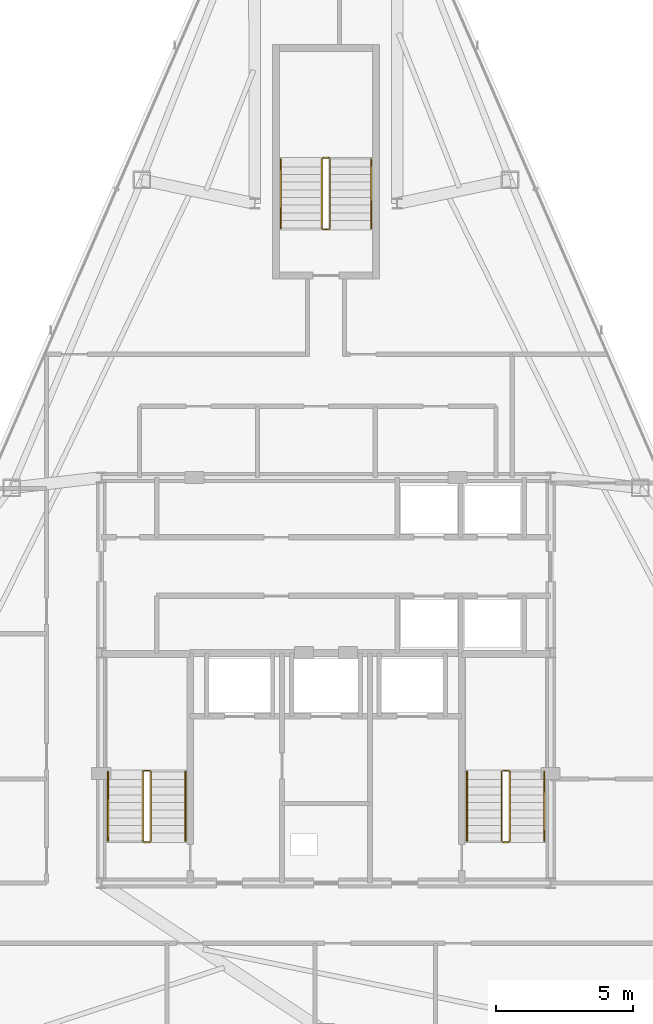
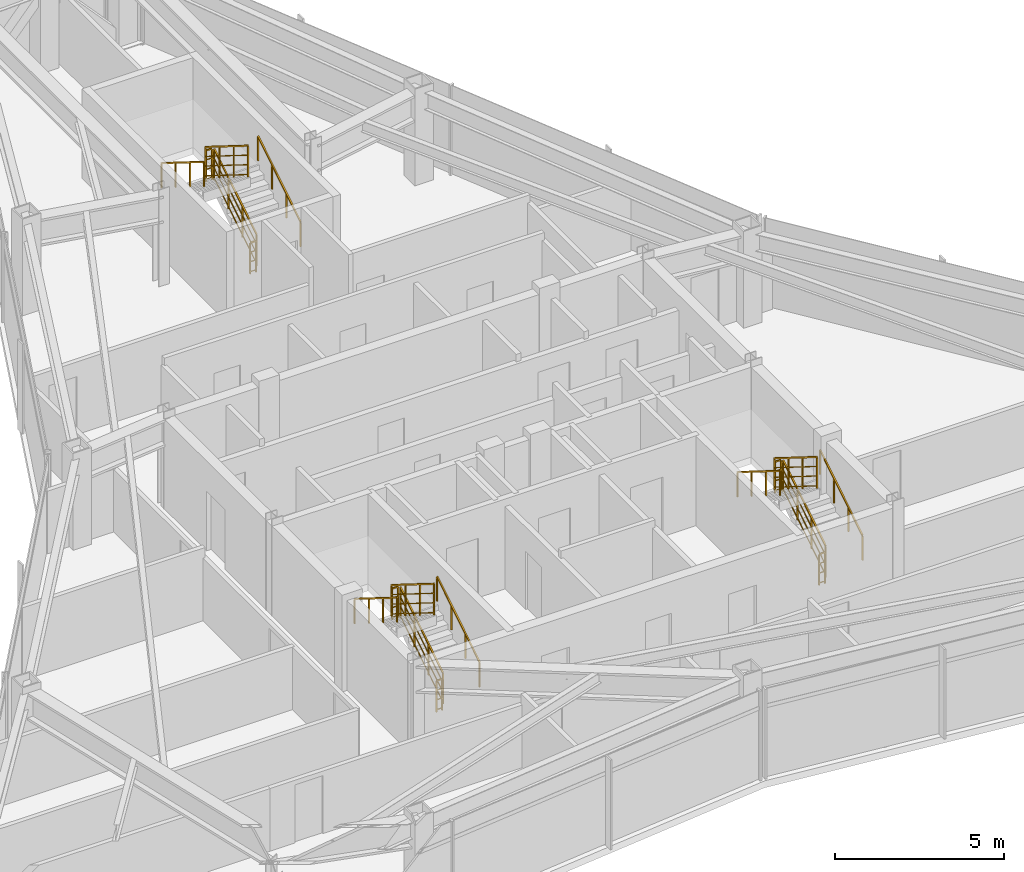
# One storey, part 12 of 12: 18 railings.
"""IFC4 building model written with IfcOpenShell, lengths in metres."""

from ifc_helpers import new_model, si_unit, direction, frame, origin, origin_2d, place, context, subcontext, project, spatial, rectangle, extrude, material, type_object, element, save


model = new_model("IFC4")

# Units and contexts
model_context = context("Model", 3, precision=1e-05, world=origin(), true_north=direction((0.0, 1.0)))
body_context = subcontext(model_context, "Body", "Model", "MODEL_VIEW")
ifc_project = project(units=[si_unit("LENGTHUNIT", "METRE"), si_unit("AREAUNIT", "SQUARE_METRE"), si_unit("VOLUMEUNIT", "CUBIC_METRE"), si_unit("PLANEANGLEUNIT", "RADIAN"), si_unit("MASSUNIT", "GRAM", prefix="KILO")], contexts=[model_context])

# Site, building, storey
site_placement = place(None, origin())
site = spatial("IfcSite", under=ifc_project, at=site_placement, CompositionType="ELEMENT")
building_placement = place(site_placement, origin())
building = spatial("IfcBuilding", under=site, at=building_placement, Name="Varakhsha Concourse Tower", CompositionType="ELEMENT")
storey_placement = place(building_placement, frame((0.0, 0.0, 283.0)))
storey = spatial("IfcBuildingStorey", under=building, at=storey_placement, Name="L80", CompositionType="ELEMENT", Elevation=283.0)

# Railings
ifc_material = material(Name="Brushed Austenitic Stainless Steel AISI 316", Category="steel")
railing_type_1 = type_object("IfcRailingType", Name="RL-STAIR-GUARD-1100", PredefinedType="GUARDRAIL", material=ifc_material)
railing_1_placement = place(storey_placement, frame((33.610107421875, 17.93994140625, 0.175048828125)))
element("IfcRailing", 1, at=railing_1_placement, inside=storey, type_object=railing_type_1, Name="L80 ST1 stair guard 1", PredefinedType="GUARDRAIL", context=body_context, shape_type="SweptSolid", body=[
    extrude(rectangle(XDim=0.048095703125, YDim=0.048095703125, at=origin_2d()), frame((0.0, 0.0, 1.1259765625), z_axis=(0.0, 0.848007534815, 0.529984170421), x_axis=(-1.0, 0.0, 0.0)), (0.0, 0.0, 1.0), 2.9716796875),
    extrude(rectangle(XDim=0.028076171875, YDim=0.028076171875, at=origin_2d()), frame((0.0, 0.0, 0.080078125), z_axis=(0.0, 0.848007534815, 0.529984170421), x_axis=(-1.0, 0.0, 0.0)), (0.0, 0.0, 1.0), 2.9716796875),
    extrude(rectangle(XDim=0.028076171875, YDim=0.028076171875, at=origin_2d()), frame((0.0, 0.0, 0.43701171875), z_axis=(0.0, 0.848007534815, 0.529984170421), x_axis=(-1.0, 0.0, 0.0)), (0.0, 0.0, 1.0), 2.9716796875),
    extrude(rectangle(XDim=0.028076171875, YDim=0.028076171875, at=origin_2d()), frame((0.0, 0.0, 0.781982421875), z_axis=(0.0, 0.848007534815, 0.529984170421), x_axis=(-1.0, 0.0, 0.0)), (0.0, 0.0, 1.0), 2.9716796875),
    extrude(rectangle(XDim=0.0419921875, YDim=0.0419921875, at=origin_2d()), origin(), (0.0, 0.0, 1.0), 1.101806640625),
    extrude(rectangle(XDim=0.0419921875, YDim=0.0419921875, at=origin_2d()), frame((0.0, 0.840087890625, 0.52490234375)), (0.0, 0.0, 1.0), 1.101806640625),
    extrude(rectangle(XDim=0.0419921875, YDim=0.0419921875, at=origin_2d()), frame((0.0, 1.679931640625, 1.050048828125)), (0.0, 0.0, 1.0), 1.101806640625),
    extrude(rectangle(XDim=0.0419921875, YDim=0.0419921875, at=origin_2d()), frame((0.0, 2.52001953125, 1.574951171875)), (0.0, 0.0, 1.0), 1.101806640625),
])
railing_2_placement = place(storey_placement, frame((33.56005859375, 20.510009765625, 1.75)))
element("IfcRailing", 2, at=railing_2_placement, inside=storey, type_object=railing_type_1, Name="L80 ST1 stair guard 2", PredefinedType="GUARDRAIL", context=body_context, shape_type="SweptSolid", body=[
    extrude(rectangle(XDim=0.048095703125, YDim=0.048095703125, at=origin_2d()), frame((0.0, 0.0, 1.1259765625), z_axis=(-1.0, 0.0, 0.0), x_axis=(0.0, -1.0, 0.0)), (0.0, 0.0, 1.0), 0.199951171875),
    extrude(rectangle(XDim=0.028076171875, YDim=0.028076171875, at=origin_2d()), frame((0.0, 0.0, 0.080078125), z_axis=(-1.0, 0.0, 0.0), x_axis=(0.0, -1.0, 0.0)), (0.0, 0.0, 1.0), 0.199951171875),
    extrude(rectangle(XDim=0.028076171875, YDim=0.028076171875, at=origin_2d()), frame((0.0, 0.0, 0.43701171875), z_axis=(-1.0, 0.0, 0.0), x_axis=(0.0, -1.0, 0.0)), (0.0, 0.0, 1.0), 0.199951171875),
    extrude(rectangle(XDim=0.028076171875, YDim=0.028076171875, at=origin_2d()), frame((0.0, 0.0, 0.781982421875), z_axis=(-1.0, 0.0, 0.0), x_axis=(0.0, -1.0, 0.0)), (0.0, 0.0, 1.0), 0.199951171875),
    extrude(rectangle(XDim=0.0419921875, YDim=0.0419921875, at=origin_2d()), origin(), (0.0, 0.0, 1.0), 1.101806640625),
    extrude(rectangle(XDim=0.0419921875, YDim=0.0419921875, at=origin_2d()), frame((-0.199951171875, 0.0, 0.0)), (0.0, 0.0, 1.0), 1.101806640625),
])
railing_3_placement = place(storey_placement, frame((33.31005859375, 20.4599609375, 1.925048828125)))
element("IfcRailing", 3, at=railing_3_placement, inside=storey, type_object=railing_type_1, Name="L80 ST1 stair guard 3", PredefinedType="GUARDRAIL", context=body_context, shape_type="SweptSolid", body=[
    extrude(rectangle(XDim=0.048095703125, YDim=0.048095703125, at=origin_2d()), frame((0.0, 0.0, 1.1259765625), z_axis=(0.0, -0.848007534815, 0.529984170421), x_axis=(1.0, 0.0, 0.0)), (0.0, 0.0, 1.0), 2.9716796875),
    extrude(rectangle(XDim=0.028076171875, YDim=0.028076171875, at=origin_2d()), frame((0.0, 0.0, 0.080078125), z_axis=(0.0, -0.848007534815, 0.529984170421), x_axis=(1.0, 0.0, 0.0)), (0.0, 0.0, 1.0), 2.9716796875),
    extrude(rectangle(XDim=0.028076171875, YDim=0.028076171875, at=origin_2d()), frame((0.0, 0.0, 0.43701171875), z_axis=(0.0, -0.848007534815, 0.529984170421), x_axis=(1.0, 0.0, 0.0)), (0.0, 0.0, 1.0), 2.9716796875),
    extrude(rectangle(XDim=0.028076171875, YDim=0.028076171875, at=origin_2d()), frame((0.0, 0.0, 0.781982421875), z_axis=(0.0, -0.848007534815, 0.529984170421), x_axis=(1.0, 0.0, 0.0)), (0.0, 0.0, 1.0), 2.9716796875),
    extrude(rectangle(XDim=0.0419921875, YDim=0.0419921875, at=origin_2d()), origin(), (0.0, 0.0, 1.0), 1.101806640625),
    extrude(rectangle(XDim=0.0419921875, YDim=0.0419921875, at=origin_2d()), frame((0.0, -0.840087890625, 0.52490234375)), (0.0, 0.0, 1.0), 1.101806640625),
    extrude(rectangle(XDim=0.0419921875, YDim=0.0419921875, at=origin_2d()), frame((0.0, -1.679931640625, 1.050048828125)), (0.0, 0.0, 1.0), 1.101806640625),
    extrude(rectangle(XDim=0.0419921875, YDim=0.0419921875, at=origin_2d()), frame((0.0, -2.52001953125, 1.574951171875)), (0.0, 0.0, 1.0), 1.101806640625),
])
railing_4_placement = place(storey_placement, frame((33.56005859375, 17.889892578125, 0.0)))
element("IfcRailing", 4, at=railing_4_placement, inside=storey, type_object=railing_type_1, Name="L80 ST1 stair guard 4", PredefinedType="GUARDRAIL", context=body_context, shape_type="SweptSolid", body=[
    extrude(rectangle(XDim=0.048095703125, YDim=0.048095703125, at=origin_2d()), frame((0.0, 0.0, 1.1259765625), z_axis=(-1.0, 0.0, 0.0), x_axis=(0.0, -1.0, 0.0)), (0.0, 0.0, 1.0), 0.199951171875),
    extrude(rectangle(XDim=0.028076171875, YDim=0.028076171875, at=origin_2d()), frame((0.0, 0.0, 0.080078125), z_axis=(-1.0, 0.0, 0.0), x_axis=(0.0, -1.0, 0.0)), (0.0, 0.0, 1.0), 0.199951171875),
    extrude(rectangle(XDim=0.028076171875, YDim=0.028076171875, at=origin_2d()), frame((0.0, 0.0, 0.43701171875), z_axis=(-1.0, 0.0, 0.0), x_axis=(0.0, -1.0, 0.0)), (0.0, 0.0, 1.0), 0.199951171875),
    extrude(rectangle(XDim=0.028076171875, YDim=0.028076171875, at=origin_2d()), frame((0.0, 0.0, 0.781982421875), z_axis=(-1.0, 0.0, 0.0), x_axis=(0.0, -1.0, 0.0)), (0.0, 0.0, 1.0), 0.199951171875),
    extrude(rectangle(XDim=0.0419921875, YDim=0.0419921875, at=origin_2d()), origin(), (0.0, 0.0, 1.0), 1.101806640625),
    extrude(rectangle(XDim=0.0419921875, YDim=0.0419921875, at=origin_2d()), frame((-0.199951171875, 0.0, 0.0)), (0.0, 0.0, 1.0), 1.101806640625),
])
railing_5_placement = place(storey_placement, frame((46.7099609375, 17.93994140625, 0.175048828125)))
element("IfcRailing", 5, at=railing_5_placement, inside=storey, type_object=railing_type_1, Name="L80 ST2 stair guard 1", PredefinedType="GUARDRAIL", context=body_context, shape_type="SweptSolid", body=[
    extrude(rectangle(XDim=0.048095703125, YDim=0.048095703125, at=origin_2d()), frame((0.0, 0.0, 1.1259765625), z_axis=(0.0, 0.848007534815, 0.529984170421), x_axis=(-1.0, 0.0, 0.0)), (0.0, 0.0, 1.0), 2.9716796875),
    extrude(rectangle(XDim=0.028076171875, YDim=0.028076171875, at=origin_2d()), frame((0.0, 0.0, 0.080078125), z_axis=(0.0, 0.848007534815, 0.529984170421), x_axis=(-1.0, 0.0, 0.0)), (0.0, 0.0, 1.0), 2.9716796875),
    extrude(rectangle(XDim=0.028076171875, YDim=0.028076171875, at=origin_2d()), frame((0.0, 0.0, 0.43701171875), z_axis=(0.0, 0.848007534815, 0.529984170421), x_axis=(-1.0, 0.0, 0.0)), (0.0, 0.0, 1.0), 2.9716796875),
    extrude(rectangle(XDim=0.028076171875, YDim=0.028076171875, at=origin_2d()), frame((0.0, 0.0, 0.781982421875), z_axis=(0.0, 0.848007534815, 0.529984170421), x_axis=(-1.0, 0.0, 0.0)), (0.0, 0.0, 1.0), 2.9716796875),
    extrude(rectangle(XDim=0.0419921875, YDim=0.0419921875, at=origin_2d()), origin(), (0.0, 0.0, 1.0), 1.101806640625),
    extrude(rectangle(XDim=0.0419921875, YDim=0.0419921875, at=origin_2d()), frame((0.0, 0.840087890625, 0.52490234375)), (0.0, 0.0, 1.0), 1.101806640625),
    extrude(rectangle(XDim=0.0419921875, YDim=0.0419921875, at=origin_2d()), frame((0.0, 1.679931640625, 1.050048828125)), (0.0, 0.0, 1.0), 1.101806640625),
    extrude(rectangle(XDim=0.0419921875, YDim=0.0419921875, at=origin_2d()), frame((0.0, 2.52001953125, 1.574951171875)), (0.0, 0.0, 1.0), 1.101806640625),
])
railing_6_placement = place(storey_placement, frame((46.659912109375, 20.510009765625, 1.75)))
element("IfcRailing", 6, at=railing_6_placement, inside=storey, type_object=railing_type_1, Name="L80 ST2 stair guard 2", PredefinedType="GUARDRAIL", context=body_context, shape_type="SweptSolid", body=[
    extrude(rectangle(XDim=0.048095703125, YDim=0.048095703125, at=origin_2d()), frame((0.0, 0.0, 1.1259765625), z_axis=(-1.0, 0.0, 0.0), x_axis=(0.0, -1.0, 0.0)), (0.0, 0.0, 1.0), 0.199951171875),
    extrude(rectangle(XDim=0.028076171875, YDim=0.028076171875, at=origin_2d()), frame((0.0, 0.0, 0.080078125), z_axis=(-1.0, 0.0, 0.0), x_axis=(0.0, -1.0, 0.0)), (0.0, 0.0, 1.0), 0.199951171875),
    extrude(rectangle(XDim=0.028076171875, YDim=0.028076171875, at=origin_2d()), frame((0.0, 0.0, 0.43701171875), z_axis=(-1.0, 0.0, 0.0), x_axis=(0.0, -1.0, 0.0)), (0.0, 0.0, 1.0), 0.199951171875),
    extrude(rectangle(XDim=0.028076171875, YDim=0.028076171875, at=origin_2d()), frame((0.0, 0.0, 0.781982421875), z_axis=(-1.0, 0.0, 0.0), x_axis=(0.0, -1.0, 0.0)), (0.0, 0.0, 1.0), 0.199951171875),
    extrude(rectangle(XDim=0.0419921875, YDim=0.0419921875, at=origin_2d()), origin(), (0.0, 0.0, 1.0), 1.101806640625),
    extrude(rectangle(XDim=0.0419921875, YDim=0.0419921875, at=origin_2d()), frame((-0.199951171875, 0.0, 0.0)), (0.0, 0.0, 1.0), 1.101806640625),
])
railing_7_placement = place(storey_placement, frame((46.409912109375, 20.4599609375, 1.925048828125)))
element("IfcRailing", 7, at=railing_7_placement, inside=storey, type_object=railing_type_1, Name="L80 ST2 stair guard 3", PredefinedType="GUARDRAIL", context=body_context, shape_type="SweptSolid", body=[
    extrude(rectangle(XDim=0.048095703125, YDim=0.048095703125, at=origin_2d()), frame((0.0, 0.0, 1.1259765625), z_axis=(0.0, -0.848007534815, 0.529984170421), x_axis=(1.0, 0.0, 0.0)), (0.0, 0.0, 1.0), 2.9716796875),
    extrude(rectangle(XDim=0.028076171875, YDim=0.028076171875, at=origin_2d()), frame((0.0, 0.0, 0.080078125), z_axis=(0.0, -0.848007534815, 0.529984170421), x_axis=(1.0, 0.0, 0.0)), (0.0, 0.0, 1.0), 2.9716796875),
    extrude(rectangle(XDim=0.028076171875, YDim=0.028076171875, at=origin_2d()), frame((0.0, 0.0, 0.43701171875), z_axis=(0.0, -0.848007534815, 0.529984170421), x_axis=(1.0, 0.0, 0.0)), (0.0, 0.0, 1.0), 2.9716796875),
    extrude(rectangle(XDim=0.028076171875, YDim=0.028076171875, at=origin_2d()), frame((0.0, 0.0, 0.781982421875), z_axis=(0.0, -0.848007534815, 0.529984170421), x_axis=(1.0, 0.0, 0.0)), (0.0, 0.0, 1.0), 2.9716796875),
    extrude(rectangle(XDim=0.0419921875, YDim=0.0419921875, at=origin_2d()), origin(), (0.0, 0.0, 1.0), 1.101806640625),
    extrude(rectangle(XDim=0.0419921875, YDim=0.0419921875, at=origin_2d()), frame((0.0, -0.840087890625, 0.52490234375)), (0.0, 0.0, 1.0), 1.101806640625),
    extrude(rectangle(XDim=0.0419921875, YDim=0.0419921875, at=origin_2d()), frame((0.0, -1.679931640625, 1.050048828125)), (0.0, 0.0, 1.0), 1.101806640625),
    extrude(rectangle(XDim=0.0419921875, YDim=0.0419921875, at=origin_2d()), frame((0.0, -2.52001953125, 1.574951171875)), (0.0, 0.0, 1.0), 1.101806640625),
])
railing_8_placement = place(storey_placement, frame((46.659912109375, 17.889892578125, 0.0)))
element("IfcRailing", 8, at=railing_8_placement, inside=storey, type_object=railing_type_1, Name="L80 ST2 stair guard 4", PredefinedType="GUARDRAIL", context=body_context, shape_type="SweptSolid", body=[
    extrude(rectangle(XDim=0.048095703125, YDim=0.048095703125, at=origin_2d()), frame((0.0, 0.0, 1.1259765625), z_axis=(-1.0, 0.0, 0.0), x_axis=(0.0, -1.0, 0.0)), (0.0, 0.0, 1.0), 0.199951171875),
    extrude(rectangle(XDim=0.028076171875, YDim=0.028076171875, at=origin_2d()), frame((0.0, 0.0, 0.080078125), z_axis=(-1.0, 0.0, 0.0), x_axis=(0.0, -1.0, 0.0)), (0.0, 0.0, 1.0), 0.199951171875),
    extrude(rectangle(XDim=0.028076171875, YDim=0.028076171875, at=origin_2d()), frame((0.0, 0.0, 0.43701171875), z_axis=(-1.0, 0.0, 0.0), x_axis=(0.0, -1.0, 0.0)), (0.0, 0.0, 1.0), 0.199951171875),
    extrude(rectangle(XDim=0.028076171875, YDim=0.028076171875, at=origin_2d()), frame((0.0, 0.0, 0.781982421875), z_axis=(-1.0, 0.0, 0.0), x_axis=(0.0, -1.0, 0.0)), (0.0, 0.0, 1.0), 0.199951171875),
    extrude(rectangle(XDim=0.0419921875, YDim=0.0419921875, at=origin_2d()), origin(), (0.0, 0.0, 1.0), 1.101806640625),
    extrude(rectangle(XDim=0.0419921875, YDim=0.0419921875, at=origin_2d()), frame((-0.199951171875, 0.0, 0.0)), (0.0, 0.0, 1.0), 1.101806640625),
])
railing_9_placement = place(storey_placement, frame((40.14990234375, 40.300048828125, 0.175048828125)))
element("IfcRailing", 9, at=railing_9_placement, inside=storey, type_object=railing_type_1, Name="L80 ST5 stair guard 1", PredefinedType="GUARDRAIL", context=body_context, shape_type="SweptSolid", body=[
    extrude(rectangle(XDim=0.048095703125, YDim=0.048095703125, at=origin_2d()), frame((0.0, 0.0, 1.1259765625), z_axis=(0.0, 0.848007534815, 0.529984170421), x_axis=(-1.0, 0.0, 0.0)), (0.0, 0.0, 1.0), 2.9716796875),
    extrude(rectangle(XDim=0.028076171875, YDim=0.028076171875, at=origin_2d()), frame((0.0, 0.0, 0.080078125), z_axis=(0.0, 0.848007534815, 0.529984170421), x_axis=(-1.0, 0.0, 0.0)), (0.0, 0.0, 1.0), 2.9716796875),
    extrude(rectangle(XDim=0.028076171875, YDim=0.028076171875, at=origin_2d()), frame((0.0, 0.0, 0.43701171875), z_axis=(0.0, 0.848007534815, 0.529984170421), x_axis=(-1.0, 0.0, 0.0)), (0.0, 0.0, 1.0), 2.9716796875),
    extrude(rectangle(XDim=0.028076171875, YDim=0.028076171875, at=origin_2d()), frame((0.0, 0.0, 0.781982421875), z_axis=(0.0, 0.848007534815, 0.529984170421), x_axis=(-1.0, 0.0, 0.0)), (0.0, 0.0, 1.0), 2.9716796875),
    extrude(rectangle(XDim=0.0419921875, YDim=0.0419921875, at=origin_2d()), origin(), (0.0, 0.0, 1.0), 1.101806640625),
    extrude(rectangle(XDim=0.0419921875, YDim=0.0419921875, at=origin_2d()), frame((0.0, 0.840087890625, 0.52490234375)), (0.0, 0.0, 1.0), 1.101806640625),
    extrude(rectangle(XDim=0.0419921875, YDim=0.0419921875, at=origin_2d()), frame((0.0, 1.679931640625, 1.050048828125)), (0.0, 0.0, 1.0), 1.101806640625),
    extrude(rectangle(XDim=0.0419921875, YDim=0.0419921875, at=origin_2d()), frame((0.0, 2.52001953125, 1.574951171875)), (0.0, 0.0, 1.0), 1.101806640625),
])
railing_10_placement = place(storey_placement, frame((40.10009765625, 42.8701171875, 1.75)))
element("IfcRailing", 10, at=railing_10_placement, inside=storey, type_object=railing_type_1, Name="L80 ST5 stair guard 2", PredefinedType="GUARDRAIL", context=body_context, shape_type="SweptSolid", body=[
    extrude(rectangle(XDim=0.048095703125, YDim=0.048095703125, at=origin_2d()), frame((0.0, 0.0, 1.1259765625), z_axis=(-1.0, 0.0, 0.0), x_axis=(0.0, -1.0, 0.0)), (0.0, 0.0, 1.0), 0.2001953125),
    extrude(rectangle(XDim=0.028076171875, YDim=0.028076171875, at=origin_2d()), frame((0.0, 0.0, 0.080078125), z_axis=(-1.0, 0.0, 0.0), x_axis=(0.0, -1.0, 0.0)), (0.0, 0.0, 1.0), 0.2001953125),
    extrude(rectangle(XDim=0.028076171875, YDim=0.028076171875, at=origin_2d()), frame((0.0, 0.0, 0.43701171875), z_axis=(-1.0, 0.0, 0.0), x_axis=(0.0, -1.0, 0.0)), (0.0, 0.0, 1.0), 0.2001953125),
    extrude(rectangle(XDim=0.028076171875, YDim=0.028076171875, at=origin_2d()), frame((0.0, 0.0, 0.781982421875), z_axis=(-1.0, 0.0, 0.0), x_axis=(0.0, -1.0, 0.0)), (0.0, 0.0, 1.0), 0.2001953125),
    extrude(rectangle(XDim=0.0419921875, YDim=0.0419921875, at=origin_2d()), origin(), (0.0, 0.0, 1.0), 1.101806640625),
    extrude(rectangle(XDim=0.0419921875, YDim=0.0419921875, at=origin_2d()), frame((-0.2001953125, 0.0, 0.0)), (0.0, 0.0, 1.0), 1.101806640625),
])
railing_11_placement = place(storey_placement, frame((39.85009765625, 42.820068359375, 1.925048828125)))
element("IfcRailing", 11, at=railing_11_placement, inside=storey, type_object=railing_type_1, Name="L80 ST5 stair guard 3", PredefinedType="GUARDRAIL", context=body_context, shape_type="SweptSolid", body=[
    extrude(rectangle(XDim=0.048095703125, YDim=0.048095703125, at=origin_2d()), frame((0.0, 0.0, 1.1259765625), z_axis=(0.0, -0.848007534815, 0.529984170421), x_axis=(1.0, 0.0, 0.0)), (0.0, 0.0, 1.0), 2.9716796875),
    extrude(rectangle(XDim=0.028076171875, YDim=0.028076171875, at=origin_2d()), frame((0.0, 0.0, 0.080078125), z_axis=(0.0, -0.848007534815, 0.529984170421), x_axis=(1.0, 0.0, 0.0)), (0.0, 0.0, 1.0), 2.9716796875),
    extrude(rectangle(XDim=0.028076171875, YDim=0.028076171875, at=origin_2d()), frame((0.0, 0.0, 0.43701171875), z_axis=(0.0, -0.848007534815, 0.529984170421), x_axis=(1.0, 0.0, 0.0)), (0.0, 0.0, 1.0), 2.9716796875),
    extrude(rectangle(XDim=0.028076171875, YDim=0.028076171875, at=origin_2d()), frame((0.0, 0.0, 0.781982421875), z_axis=(0.0, -0.848007534815, 0.529984170421), x_axis=(1.0, 0.0, 0.0)), (0.0, 0.0, 1.0), 2.9716796875),
    extrude(rectangle(XDim=0.0419921875, YDim=0.0419921875, at=origin_2d()), origin(), (0.0, 0.0, 1.0), 1.101806640625),
    extrude(rectangle(XDim=0.0419921875, YDim=0.0419921875, at=origin_2d()), frame((0.0, -0.840087890625, 0.52490234375)), (0.0, 0.0, 1.0), 1.101806640625),
    extrude(rectangle(XDim=0.0419921875, YDim=0.0419921875, at=origin_2d()), frame((0.0, -1.679931640625, 1.050048828125)), (0.0, 0.0, 1.0), 1.101806640625),
    extrude(rectangle(XDim=0.0419921875, YDim=0.0419921875, at=origin_2d()), frame((0.0, -2.52001953125, 1.574951171875)), (0.0, 0.0, 1.0), 1.101806640625),
])
railing_12_placement = place(storey_placement, frame((40.10009765625, 40.25, 0.0)))
element("IfcRailing", 12, at=railing_12_placement, inside=storey, type_object=railing_type_1, Name="L80 ST5 stair guard 4", PredefinedType="GUARDRAIL", context=body_context, shape_type="SweptSolid", body=[
    extrude(rectangle(XDim=0.048095703125, YDim=0.048095703125, at=origin_2d()), frame((0.0, 0.0, 1.1259765625), z_axis=(-1.0, 0.0, 0.0), x_axis=(0.0, -1.0, 0.0)), (0.0, 0.0, 1.0), 0.2001953125),
    extrude(rectangle(XDim=0.028076171875, YDim=0.028076171875, at=origin_2d()), frame((0.0, 0.0, 0.080078125), z_axis=(-1.0, 0.0, 0.0), x_axis=(0.0, -1.0, 0.0)), (0.0, 0.0, 1.0), 0.2001953125),
    extrude(rectangle(XDim=0.028076171875, YDim=0.028076171875, at=origin_2d()), frame((0.0, 0.0, 0.43701171875), z_axis=(-1.0, 0.0, 0.0), x_axis=(0.0, -1.0, 0.0)), (0.0, 0.0, 1.0), 0.2001953125),
    extrude(rectangle(XDim=0.028076171875, YDim=0.028076171875, at=origin_2d()), frame((0.0, 0.0, 0.781982421875), z_axis=(-1.0, 0.0, 0.0), x_axis=(0.0, -1.0, 0.0)), (0.0, 0.0, 1.0), 0.2001953125),
    extrude(rectangle(XDim=0.0419921875, YDim=0.0419921875, at=origin_2d()), origin(), (0.0, 0.0, 1.0), 1.101806640625),
    extrude(rectangle(XDim=0.0419921875, YDim=0.0419921875, at=origin_2d()), frame((-0.2001953125, 0.0, 0.0)), (0.0, 0.0, 1.0), 1.101806640625),
])
railing_type_2 = type_object("IfcRailingType", Name="RL-STAIR-RAIL-915", PredefinedType="HANDRAIL", material=ifc_material)
railing_13_placement = place(storey_placement, frame((34.8701171875, 17.93994140625, 0.35009765625)))
element("IfcRailing", 13, at=railing_13_placement, inside=storey, type_object=railing_type_2, Name="L80 ST1 stair handrail 1", PredefinedType="HANDRAIL", context=body_context, shape_type="SweptSolid", body=[
    extrude(rectangle(XDim=0.048095703125, YDim=0.048095703125, at=origin_2d()), frame((0.0, 0.0, 0.89111328125), z_axis=(0.0, 0.848007534815, 0.529984170421), x_axis=(-1.0, 0.0, 0.0)), (0.0, 0.0, 1.0), 2.9716796875),
    extrude(rectangle(XDim=0.0419921875, YDim=0.0419921875, at=origin_2d()), origin(), (0.0, 0.0, 1.0), 0.866943359375),
    extrude(rectangle(XDim=0.0419921875, YDim=0.0419921875, at=origin_2d()), frame((0.0, 0.840087890625, 0.52490234375)), (0.0, 0.0, 1.0), 0.866943359375),
    extrude(rectangle(XDim=0.0419921875, YDim=0.0419921875, at=origin_2d()), frame((0.0, 1.679931640625, 1.050048828125)), (0.0, 0.0, 1.0), 0.866943359375),
    extrude(rectangle(XDim=0.0419921875, YDim=0.0419921875, at=origin_2d()), frame((0.0, 2.52001953125, 1.574951171875)), (0.0, 0.0, 1.0), 0.866943359375),
])
railing_14_placement = place(storey_placement, frame((32.050048828125, 20.4599609375, 2.10009765625)))
element("IfcRailing", 14, at=railing_14_placement, inside=storey, type_object=railing_type_2, Name="L80 ST1 stair handrail 2", PredefinedType="HANDRAIL", context=body_context, shape_type="SweptSolid", body=[
    extrude(rectangle(XDim=0.048095703125, YDim=0.048095703125, at=origin_2d()), frame((0.0, 0.0, 0.89111328125), z_axis=(0.0, -0.848007534815, 0.529984170421), x_axis=(1.0, 0.0, 0.0)), (0.0, 0.0, 1.0), 2.9716796875),
    extrude(rectangle(XDim=0.0419921875, YDim=0.0419921875, at=origin_2d()), origin(), (0.0, 0.0, 1.0), 0.866943359375),
    extrude(rectangle(XDim=0.0419921875, YDim=0.0419921875, at=origin_2d()), frame((0.0, -0.840087890625, 0.52490234375)), (0.0, 0.0, 1.0), 0.866943359375),
    extrude(rectangle(XDim=0.0419921875, YDim=0.0419921875, at=origin_2d()), frame((0.0, -1.679931640625, 1.050048828125)), (0.0, 0.0, 1.0), 0.866943359375),
    extrude(rectangle(XDim=0.0419921875, YDim=0.0419921875, at=origin_2d()), frame((0.0, -2.52001953125, 1.574951171875)), (0.0, 0.0, 1.0), 0.866943359375),
])
railing_15_placement = place(storey_placement, frame((47.969970703125, 17.93994140625, 0.35009765625)))
element("IfcRailing", 15, at=railing_15_placement, inside=storey, type_object=railing_type_2, Name="L80 ST2 stair handrail 1", PredefinedType="HANDRAIL", context=body_context, shape_type="SweptSolid", body=[
    extrude(rectangle(XDim=0.048095703125, YDim=0.048095703125, at=origin_2d()), frame((0.0, 0.0, 0.89111328125), z_axis=(0.0, 0.848007534815, 0.529984170421), x_axis=(-1.0, 0.0, 0.0)), (0.0, 0.0, 1.0), 2.9716796875),
    extrude(rectangle(XDim=0.0419921875, YDim=0.0419921875, at=origin_2d()), origin(), (0.0, 0.0, 1.0), 0.866943359375),
    extrude(rectangle(XDim=0.0419921875, YDim=0.0419921875, at=origin_2d()), frame((0.0, 0.840087890625, 0.52490234375)), (0.0, 0.0, 1.0), 0.866943359375),
    extrude(rectangle(XDim=0.0419921875, YDim=0.0419921875, at=origin_2d()), frame((0.0, 1.679931640625, 1.050048828125)), (0.0, 0.0, 1.0), 0.866943359375),
    extrude(rectangle(XDim=0.0419921875, YDim=0.0419921875, at=origin_2d()), frame((0.0, 2.52001953125, 1.574951171875)), (0.0, 0.0, 1.0), 0.866943359375),
])
railing_16_placement = place(storey_placement, frame((45.14990234375, 20.4599609375, 2.10009765625)))
element("IfcRailing", 16, at=railing_16_placement, inside=storey, type_object=railing_type_2, Name="L80 ST2 stair handrail 2", PredefinedType="HANDRAIL", context=body_context, shape_type="SweptSolid", body=[
    extrude(rectangle(XDim=0.048095703125, YDim=0.048095703125, at=origin_2d()), frame((0.0, 0.0, 0.89111328125), z_axis=(0.0, -0.848007534815, 0.529984170421), x_axis=(1.0, 0.0, 0.0)), (0.0, 0.0, 1.0), 2.9716796875),
    extrude(rectangle(XDim=0.0419921875, YDim=0.0419921875, at=origin_2d()), origin(), (0.0, 0.0, 1.0), 0.866943359375),
    extrude(rectangle(XDim=0.0419921875, YDim=0.0419921875, at=origin_2d()), frame((0.0, -0.840087890625, 0.52490234375)), (0.0, 0.0, 1.0), 0.866943359375),
    extrude(rectangle(XDim=0.0419921875, YDim=0.0419921875, at=origin_2d()), frame((0.0, -1.679931640625, 1.050048828125)), (0.0, 0.0, 1.0), 0.866943359375),
    extrude(rectangle(XDim=0.0419921875, YDim=0.0419921875, at=origin_2d()), frame((0.0, -2.52001953125, 1.574951171875)), (0.0, 0.0, 1.0), 0.866943359375),
])
railing_17_placement = place(storey_placement, frame((41.64990234375, 40.300048828125, 0.35009765625)))
element("IfcRailing", 17, at=railing_17_placement, inside=storey, type_object=railing_type_2, Name="L80 ST5 stair handrail 1", PredefinedType="HANDRAIL", context=body_context, shape_type="SweptSolid", body=[
    extrude(rectangle(XDim=0.048095703125, YDim=0.048095703125, at=origin_2d()), frame((0.0, 0.0, 0.89111328125), z_axis=(0.0, 0.848007534815, 0.529984170421), x_axis=(-1.0, 0.0, 0.0)), (0.0, 0.0, 1.0), 2.9716796875),
    extrude(rectangle(XDim=0.0419921875, YDim=0.0419921875, at=origin_2d()), origin(), (0.0, 0.0, 1.0), 0.866943359375),
    extrude(rectangle(XDim=0.0419921875, YDim=0.0419921875, at=origin_2d()), frame((0.0, 0.840087890625, 0.52490234375)), (0.0, 0.0, 1.0), 0.866943359375),
    extrude(rectangle(XDim=0.0419921875, YDim=0.0419921875, at=origin_2d()), frame((0.0, 1.679931640625, 1.050048828125)), (0.0, 0.0, 1.0), 0.866943359375),
    extrude(rectangle(XDim=0.0419921875, YDim=0.0419921875, at=origin_2d()), frame((0.0, 2.52001953125, 1.574951171875)), (0.0, 0.0, 1.0), 0.866943359375),
])
railing_18_placement = place(storey_placement, frame((38.35009765625, 42.820068359375, 2.10009765625)))
element("IfcRailing", 18, at=railing_18_placement, inside=storey, type_object=railing_type_2, Name="L80 ST5 stair handrail 2", PredefinedType="HANDRAIL", context=body_context, shape_type="SweptSolid", body=[
    extrude(rectangle(XDim=0.048095703125, YDim=0.048095703125, at=origin_2d()), frame((0.0, 0.0, 0.89111328125), z_axis=(0.0, -0.848007534815, 0.529984170421), x_axis=(1.0, 0.0, 0.0)), (0.0, 0.0, 1.0), 2.9716796875),
    extrude(rectangle(XDim=0.0419921875, YDim=0.0419921875, at=origin_2d()), origin(), (0.0, 0.0, 1.0), 0.866943359375),
    extrude(rectangle(XDim=0.0419921875, YDim=0.0419921875, at=origin_2d()), frame((0.0, -0.840087890625, 0.52490234375)), (0.0, 0.0, 1.0), 0.866943359375),
    extrude(rectangle(XDim=0.0419921875, YDim=0.0419921875, at=origin_2d()), frame((0.0, -1.679931640625, 1.050048828125)), (0.0, 0.0, 1.0), 0.866943359375),
    extrude(rectangle(XDim=0.0419921875, YDim=0.0419921875, at=origin_2d()), frame((0.0, -2.52001953125, 1.574951171875)), (0.0, 0.0, 1.0), 0.866943359375),
])

save(model, "model.ifc")
